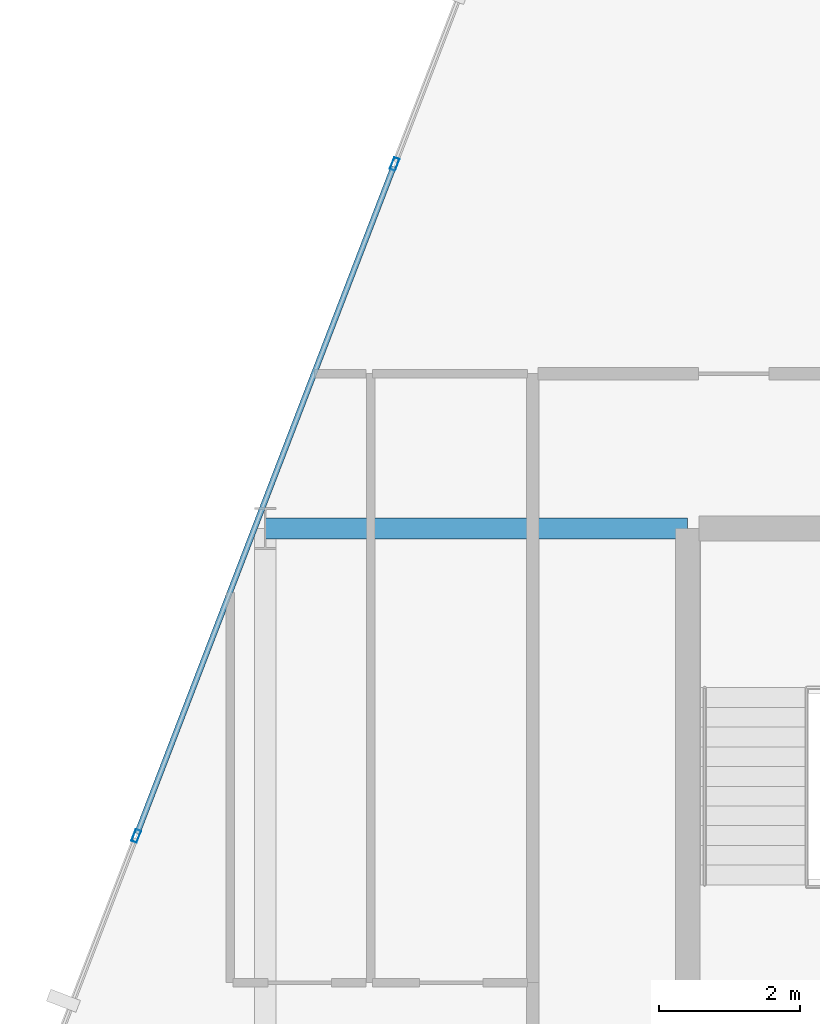
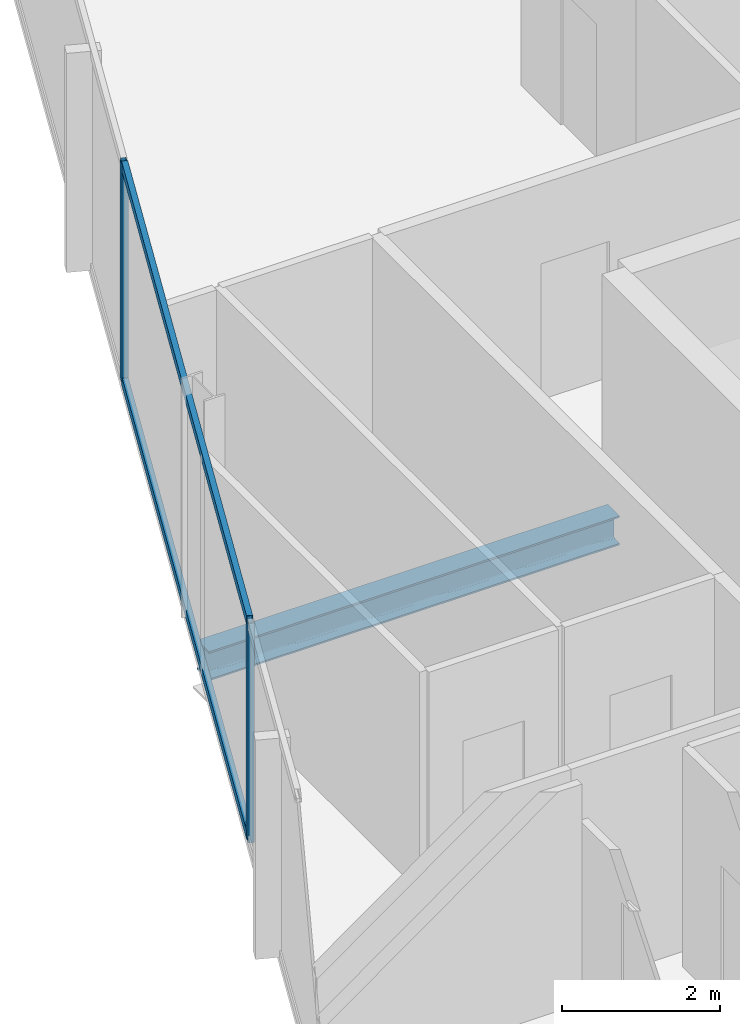
# One storey, part 14 of 29: 4 members, 1 beam, 1 element without a shape of its own.
"""IFC4 building model written with IfcOpenShell, lengths in metres."""

from ifc_helpers import new_model, si_unit, direction, frame, origin, origin_2d, place, context, subcontext, project, spatial, hollow_rectangle, i_section, extrude, material, layer, layer_set, material_profile, profile_set, type_object, element, aggregate, save


model = new_model("IFC4")

# Units and contexts
model_context = context("Model", 3, precision=1e-05, world=origin(), true_north=direction((0.0, 1.0)))
body_context = subcontext(model_context, "Body", "Model", "MODEL_VIEW")
ifc_project = project(units=[si_unit("LENGTHUNIT", "METRE"), si_unit("AREAUNIT", "SQUARE_METRE"), si_unit("VOLUMEUNIT", "CUBIC_METRE"), si_unit("PLANEANGLEUNIT", "RADIAN"), si_unit("MASSUNIT", "GRAM", prefix="KILO")], contexts=[model_context])

# Site, building, storey
site_placement = place(None, origin())
site = spatial("IfcSite", under=ifc_project, at=site_placement, CompositionType="ELEMENT")
building_placement = place(site_placement, origin())
building = spatial("IfcBuilding", under=site, at=building_placement, Name="Keshet Zoharim Tower", CompositionType="ELEMENT")
storey_placement = place(building_placement, frame((0.0, 0.0, 102.0)))
storey = spatial("IfcBuildingStorey", under=building, at=storey_placement, Name="L24", CompositionType="ELEMENT", Elevation=102.0)

# Beam
ifc_material_1 = material(Name="Steel S355", Category="steel")
ifc_material_profile_1 = material_profile(ifc_material_1, i_section(OverallWidth=0.300048828125, OverallDepth=0.449951171875, WebThickness=0.013916015625, FlangeThickness=0.02587890625, FilletRadius=0.027099609375, at=origin_2d()), Name="HEB450")
ifc_profile_set_1 = profile_set([ifc_material_profile_1], Name="Steel S355")
beam_type = type_object("IfcBeamType", Name="BM-WEB-HB450", PredefinedType="BEAM", material=ifc_profile_set_1)
beam_placement = place(storey_placement, frame((9.0, 37.89990234375, -0.5400390625), z_axis=(1.0, 0.0, 0.0), x_axis=(0.0, 1.0, 0.0)))
element("IfcBeam", 1, at=beam_placement, inside=storey, type_object=beam_type, Name="L24 Primary Girder X-018", PredefinedType="BEAM", context=body_context, shape_type="SweptSolid", body=[
    extrude(i_section(OverallWidth=0.300048828125, OverallDepth=0.449951171875, WebThickness=0.013916015625, FlangeThickness=0.02587890625, FilletRadius=0.027099609375, at=origin_2d()), origin(), (0.0, 0.0, 1.0), 6.0),
])

# Curtain wall, members
ifc_material_2 = material(Name="Aluminium 6063-T6", Category="aluminium")
ifc_layer = layer(ifc_material_2, 0.159912109375)
ifc_layer_set = layer_set([ifc_layer], Name="Aluminium 6063-T6")
curtain_wall_type = type_object("IfcCurtainWallType", Name="CW-SYS-03", PredefinedType="NOTDEFINED", material=ifc_layer_set)
curtain_wall_placement = place(storey_placement, origin())
curtain_wall = element("IfcCurtainWall", 2, at=curtain_wall_placement, inside=storey, type_object=curtain_wall_type, Name="L24 Unitised Curtain Wall 10", PredefinedType="NOTDEFINED")
ifc_material_profile_2 = material_profile(ifc_material_2, hollow_rectangle(XDim=0.080078125, YDim=0.179931640625, WallThickness=0.00439453125, at=origin_2d()), Name="MUL-80x180")
ifc_profile_set_2 = profile_set([ifc_material_profile_2], Name="Aluminium 6063-T6")
member_type_1 = type_object("IfcMemberType", Name="CWM-M18", PredefinedType="MULLION", material=ifc_profile_set_2)
member_1_placement = place(storey_placement, frame((7.1669921875, 33.53466796875, 0.0), z_axis=(0.0, 0.0, 1.0), x_axis=(-0.933341404361, 0.358990003907, 0.0)))
member_1 = element("IfcMember", 3, at=member_1_placement, type_object=member_type_1, Name="CW-03 mullion 2", PredefinedType="MULLION", context=body_context, shape_type="SweptSolid", body=[
    extrude(hollow_rectangle(XDim=0.080078125, YDim=0.179931640625, WallThickness=0.00439453125, at=origin_2d()), origin(), (0.0, 0.0, 1.0), 3.385009765625),
])
member_2_placement = place(storey_placement, frame((10.8369140625, 43.076416015625, 0.0), z_axis=(0.0, 0.0, 1.0), x_axis=(-0.933341404361, 0.358990003907, 0.0)))
member_2 = element("IfcMember", 4, at=member_2_placement, type_object=member_type_1, Name="CW-03 mullion 3", PredefinedType="MULLION", context=body_context, shape_type="SweptSolid", body=[
    extrude(hollow_rectangle(XDim=0.080078125, YDim=0.179931640625, WallThickness=0.00439453125, at=origin_2d()), origin(), (0.0, 0.0, 1.0), 3.385009765625),
])
ifc_material_profile_3 = material_profile(ifc_material_2, hollow_rectangle(XDim=0.080078125, YDim=0.139892578125, WallThickness=0.00390625, at=origin_2d()), Name="TRN-80x140")
ifc_profile_set_3 = profile_set([ifc_material_profile_3], Name="Aluminium 6063-T6")
member_type_2 = type_object("IfcMemberType", Name="CWT-T14", PredefinedType="USERDEFINED", material=ifc_profile_set_3)
member_3_placement = place(storey_placement, frame((7.179443359375, 33.5673828125, 0.034912109375), z_axis=(0.359003248899, 0.933336309848, 0.0), x_axis=(-0.933336309848, 0.359003248899, 0.0)))
member_3 = element("IfcMember", 5, at=member_3_placement, type_object=member_type_2, Name="CW-03 transom 2.1", ObjectType="TRANSOM", PredefinedType="USERDEFINED", context=body_context, shape_type="SweptSolid", body=[
    extrude(hollow_rectangle(XDim=0.080078125, YDim=0.139892578125, WallThickness=0.00390625, at=origin_2d()), origin(), (0.0, 0.0, 1.0), 10.153076171875),
])
member_4_placement = place(storey_placement, frame((7.179443359375, 33.5673828125, 3.35009765625), z_axis=(0.359003248899, 0.933336309848, 0.0), x_axis=(-0.933336309848, 0.359003248899, 0.0)))
member_4 = element("IfcMember", 6, at=member_4_placement, type_object=member_type_2, Name="CW-03 transom 2.2", ObjectType="TRANSOM", PredefinedType="USERDEFINED", context=body_context, shape_type="SweptSolid", body=[
    extrude(hollow_rectangle(XDim=0.080078125, YDim=0.139892578125, WallThickness=0.00390625, at=origin_2d()), origin(), (0.0, 0.0, 1.0), 10.153076171875),
])
aggregate(curtain_wall, [member_1, member_2, member_3, member_4])

save(model, "model.ifc")
